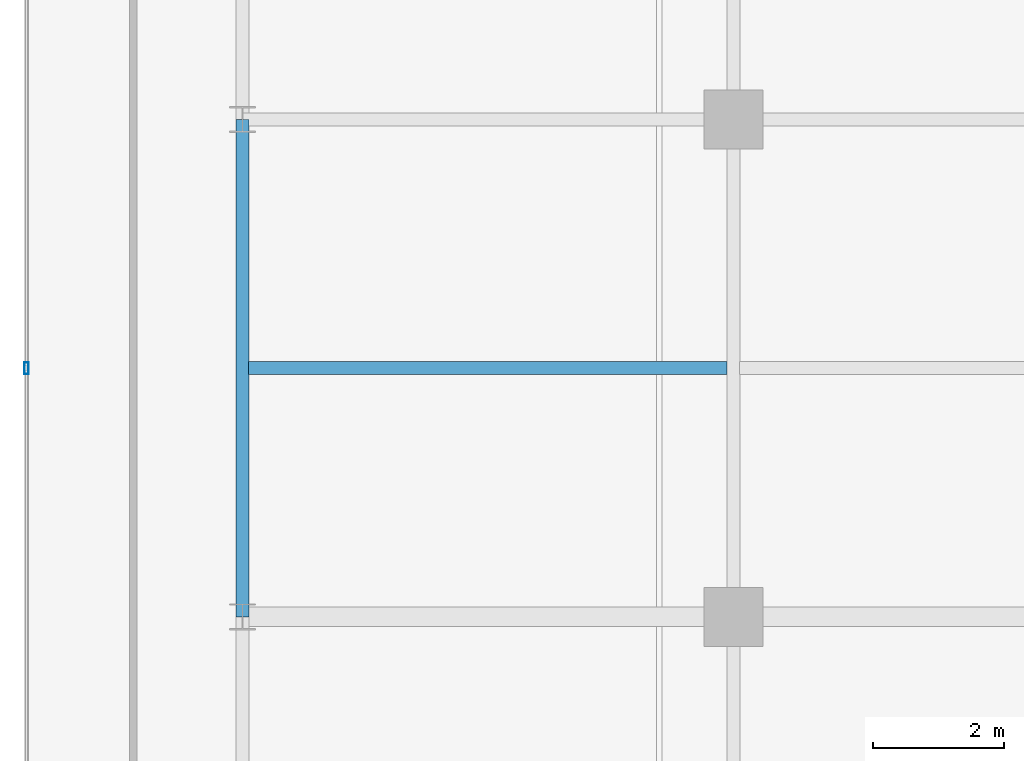
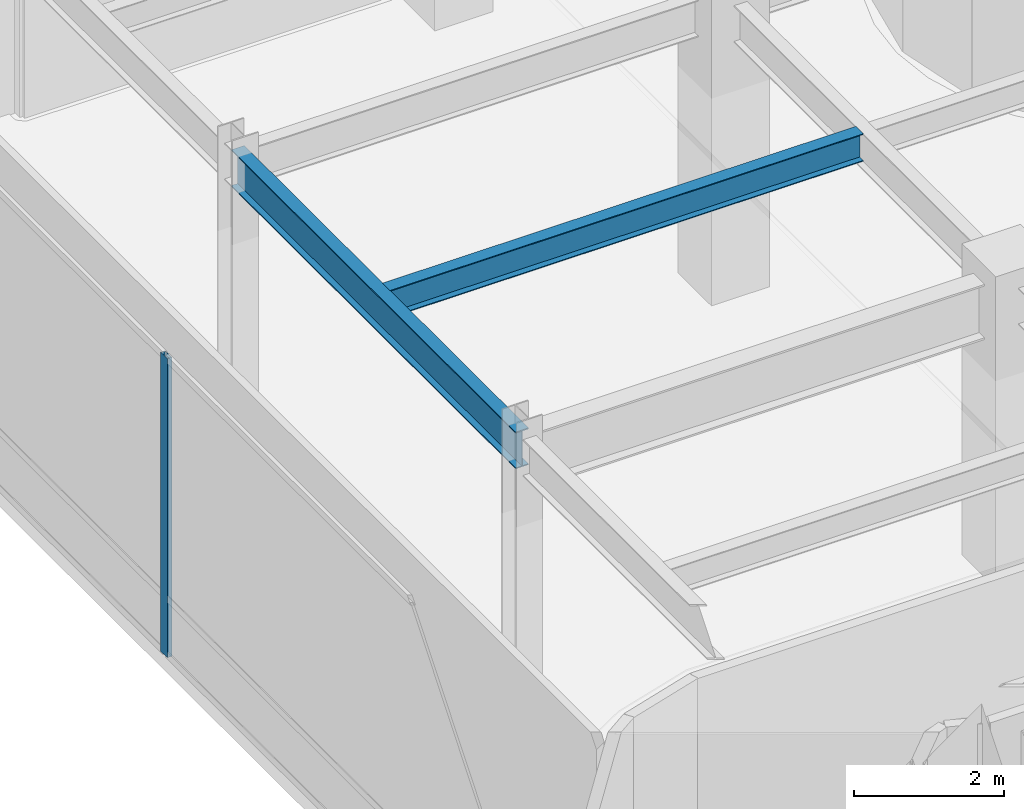
# One storey, part 9 of 40: 2 beams, 1 member, 1 element without a shape of its own.
"""IFC4 building model written with IfcOpenShell, lengths in metres."""

import ifcopenshell
import ifcopenshell.guid

model = None  # the IFC model being written
_history = None  # IfcOwnerHistory: only IFC2X3 demands one
_inside = {}  # id of a spatial element -> (the spatial element, [elements in it])
_under = {}  # id of a project, library or spatial element -> (it, [spatial elements below it])
_declared = {}  # id of a project -> (the project, [libraries it declares])
_typed = {}  # id of a type object -> (the type object, [elements of that type])
_made_of = {}  # id of a material, layer set ... -> (it, [elements and type objects made of it])


def new_model(schema):
    """Start an empty IFC model of exactly this schema.

    Asked for "IFC4X3", IfcOpenShell would pick the latest addendum, in which some entities
    have other attributes; the version numbers below select the first issue.
    IFC2X3 requires an IfcOwnerHistory on every rooted entity: one is made here for all.
    """
    global model, _history
    if schema == "IFC4X3":
        model = ifcopenshell.file(schema_version=(4, 3, 0, 0))
    else:
        model = ifcopenshell.file(schema=schema)
    _inside.clear()
    _under.clear()
    _declared.clear()
    _typed.clear()
    _made_of.clear()
    _history = None
    if model.schema == "IFC2X3":
        org = make("IfcOrganization", Name="unknown")
        user = make(
            "IfcPersonAndOrganization",
            ThePerson=make("IfcPerson", FamilyName="unknown"),
            TheOrganization=org,
        )
        app = make(
            "IfcApplication",
            ApplicationDeveloper=org,
            Version="unknown",
            ApplicationFullName="unknown",
            ApplicationIdentifier="unknown",
        )
        _history = make(
            "IfcOwnerHistory",
            OwningUser=user,
            OwningApplication=app,
            ChangeAction="ADDED",
            CreationDate=0,
        )
    return model


def make(cls, **values):
    """One entity of the class cls with the attributes given. An attribute that is None is left unset."""
    return model.create_entity(
        cls, **{name: value for name, value in values.items() if value is not None}
    )


def rooted(cls, **values):
    """An entity with a GlobalId (a new one), such as an element, a storey or a relation."""
    return make(cls, GlobalId=ifcopenshell.guid.new(), OwnerHistory=_history, **values)


def si_unit(unit_type, name, prefix=None):
    """IfcSIUnit, for example si_unit("LENGTHUNIT", "METRE", prefix="MILLI")."""
    return make("IfcSIUnit", UnitType=unit_type, Prefix=prefix, Name=name)


def assignment(units):
    """IfcUnitAssignment: the units of a project."""
    return None if units is None else make("IfcUnitAssignment", Units=units)


def point(xyz):
    """IfcCartesianPoint."""
    return None if xyz is None else make("IfcCartesianPoint", Coordinates=xyz)


def direction(xyz):
    """IfcDirection."""
    return None if xyz is None else make("IfcDirection", DirectionRatios=xyz)


def frame(location, z_axis=None, x_axis=None):
    """IfcAxis2Placement3D, a coordinate frame: its origin and axes. An axis left out is left unset."""
    return make(
        "IfcAxis2Placement3D",
        Location=point(location),
        Axis=direction(z_axis),
        RefDirection=direction(x_axis),
    )


def frame_2d(location, x_axis=None):
    """IfcAxis2Placement2D, a coordinate frame in the plane: its origin and x axis."""
    return make(
        "IfcAxis2Placement2D", Location=point(location), RefDirection=direction(x_axis)
    )


def origin():
    """The frame at (0, 0, 0) with its axes left unset."""
    return frame((0.0, 0.0, 0.0))


def origin_2d():
    """The frame at (0, 0) in the plane with its x axis left unset."""
    return frame_2d((0.0, 0.0))


def place(relative_to, where):
    """IfcLocalPlacement: puts the frame where relative to a parent placement (None: the world)."""
    return make(
        "IfcLocalPlacement", PlacementRelTo=relative_to, RelativePlacement=where
    )


def context(
    kind, dimensions, precision=None, world=None, true_north=None, identifier=None
):
    """IfcGeometricRepresentationContext, for example the 3D "Model" context."""
    return make(
        "IfcGeometricRepresentationContext",
        ContextIdentifier=identifier,
        ContextType=kind,
        CoordinateSpaceDimension=dimensions,
        Precision=precision,
        WorldCoordinateSystem=world,
        TrueNorth=true_north,
    )


def subcontext(parent, identifier, kind, view, scale=None):
    """IfcGeometricRepresentationSubContext, for example "Body" below "Model"."""
    return make(
        "IfcGeometricRepresentationSubContext",
        ContextIdentifier=identifier,
        ContextType=kind,
        ParentContext=parent,
        TargetScale=scale,
        TargetView=view,
    )


def project(units=None, contexts=None):
    """IfcProject with its units and contexts."""
    return rooted(
        "IfcProject",
        Name="project",
        RepresentationContexts=contexts,
        UnitsInContext=assignment(units),
    )


def spatial(cls, under=None, at=None, **own):
    """A site, building, storey or space (cls), placed at a placement, below another one or the project."""
    s = rooted(cls, ObjectPlacement=at, **own)
    if under is not None:
        _under.setdefault(under.id(), (under, []))[1].append(s)
    return s


def profile(cls, at=None, kind="AREA", **sizes):
    """A parametric profile (cls). Its sizes go by their IFC names, for example OverallWidth=200.0."""
    return make(cls, ProfileType=kind, Position=at, **sizes)


def hollow_rectangle(**sizes):
    """IfcRectangleHollowProfileDef."""
    return profile("IfcRectangleHollowProfileDef", **sizes)


def i_section(**sizes):
    """IfcIShapeProfileDef."""
    return profile("IfcIShapeProfileDef", **sizes)


def extrude(swept, where, along, depth):
    """IfcExtrudedAreaSolid: the profile swept, set in the frame where, extruded along a direction by depth."""
    return make(
        "IfcExtrudedAreaSolid",
        SweptArea=swept,
        Position=where,
        ExtrudedDirection=direction(along),
        Depth=depth,
    )


def shape(context_of_items, identifier, shape_type, items):
    """IfcShapeRepresentation: the items that make up one representation, for example the "Body"."""
    return make(
        "IfcShapeRepresentation",
        ContextOfItems=context_of_items,
        RepresentationIdentifier=identifier,
        RepresentationType=shape_type,
        Items=items,
    )


def material(Name=None, Category=None):
    """IfcMaterial."""
    return make("IfcMaterial", Name=Name, Category=Category)


def layer(
    of_material, thickness, ventilated=None, Name=None, Category=None, Priority=None
):
    """IfcMaterialLayer: one layer of a wall or slab, of a material (None: an air gap)."""
    return make(
        "IfcMaterialLayer",
        Material=of_material,
        LayerThickness=thickness,
        IsVentilated=ventilated,
        Name=Name,
        Category=Category,
        Priority=Priority,
    )


def layer_set(layers, Name=None):
    """IfcMaterialLayerSet."""
    return make("IfcMaterialLayerSet", MaterialLayers=layers, LayerSetName=Name)


def material_profile(
    of_material, cross_section, Name=None, Category=None, Priority=None
):
    """IfcMaterialProfile: a cross section and its material."""
    return make(
        "IfcMaterialProfile",
        Name=Name,
        Material=of_material,
        Profile=cross_section,
        Priority=Priority,
        Category=Category,
    )


def profile_set(profiles, Name=None, composite=None):
    """IfcMaterialProfileSet."""
    return make(
        "IfcMaterialProfileSet",
        Name=Name,
        MaterialProfiles=profiles,
        CompositeProfile=composite,
    )


def made_of(thing, what):
    """Note that an element or type object is made of a material, layer set ...; save() writes the relation."""
    if what is not None:
        _made_of.setdefault(what.id(), (what, []))[1].append(thing)
    return thing


def type_object(cls, material=None, **own):
    """A type object (cls), such as IfcWallType, which elements share."""
    return made_of(rooted(cls, **own), material)


def element(
    cls,
    number,
    at=None,
    inside=None,
    cuts=None,
    type_object=None,
    material=None,
    context=None,
    identifier="Body",
    shape_type=None,
    held_by="IfcProductDefinitionShape",
    body=None,
    shapes=None,
    **own,
):
    """One element of the class cls, such as IfcWall. Its Tag is "e" and its number.

    at: its placement. inside: the storey or other place that contains it. cuts: it is an
    opening in that element (IfcRelVoidsElement). A single representation is given by context,
    identifier, shape_type and body (its items); several are given by shapes. held_by: the class
    of the entity that holds the representations. save() writes the other relations.
    """
    e = rooted(cls, Tag="e%d" % number, ObjectPlacement=at, **own)
    if body is not None:
        shapes = [shape(context, identifier, shape_type, body)]
    if shapes is not None:
        e.Representation = make(held_by, Representations=shapes)
    if inside is not None:
        _inside.setdefault(inside.id(), (inside, []))[1].append(e)
    if cuts is not None:
        rooted(
            "IfcRelVoidsElement", RelatingBuildingElement=cuts, RelatedOpeningElement=e
        )
    if type_object is not None:
        _typed.setdefault(type_object.id(), (type_object, []))[1].append(e)
    return made_of(e, material)


def aggregate(whole, parts):
    """IfcRelAggregates: a whole, such as a stair, and the parts it consists of."""
    return rooted("IfcRelAggregates", RelatingObject=whole, RelatedObjects=parts)


def save(model, path):
    """Write the relations noted so far, then the file.

    IfcRelAggregates (storeys below a building ...), IfcRelContainedInSpatialStructure (elements
    in a storey), IfcRelDefinesByType, IfcRelAssociatesMaterial and IfcRelDeclares: one each for
    every whole, place, type object, material and project.
    """
    for whole, parts in _under.values():
        aggregate(whole, parts)
    for where, things in _inside.values():
        rooted(
            "IfcRelContainedInSpatialStructure",
            RelatedElements=things,
            RelatingStructure=where,
        )
    for kind, things in _typed.values():
        rooted("IfcRelDefinesByType", RelatedObjects=things, RelatingType=kind)
    for what, things in _made_of.values():
        rooted("IfcRelAssociatesMaterial", RelatedObjects=things, RelatingMaterial=what)
    for by, libraries in _declared.values():
        rooted("IfcRelDeclares", RelatingContext=by, RelatedDefinitions=libraries)
    model.write(path)


model = new_model("IFC4")

# Units and contexts
model_context = context("Model", 3, precision=1e-05, world=origin(), true_north=direction((0.0, 1.0)))
body_context = subcontext(model_context, "Body", "Model", "MODEL_VIEW")
ifc_project = project(units=[si_unit("LENGTHUNIT", "METRE"), si_unit("AREAUNIT", "SQUARE_METRE"), si_unit("VOLUMEUNIT", "CUBIC_METRE"), si_unit("PLANEANGLEUNIT", "RADIAN"), si_unit("MASSUNIT", "GRAM", prefix="KILO")], contexts=[model_context])

# Site, building, storey
site_placement = place(None, origin())
site = spatial("IfcSite", under=ifc_project, at=site_placement, CompositionType="ELEMENT")
building_placement = place(site_placement, origin())
building = spatial("IfcBuilding", under=site, at=building_placement, Name="Qianvela Tower", CompositionType="ELEMENT")
storey_placement = place(building_placement, frame((0.0, 0.0, 20.60009765625)))
storey = spatial("IfcBuildingStorey", under=building, at=storey_placement, Name="L04", CompositionType="ELEMENT", Elevation=20.60009765625)

# Beams
ifc_material_1 = material(Name="Steel Q355B", Category="steel")
ifc_material_profile_1 = material_profile(ifc_material_1, i_section(OverallWidth=0.199951171875, OverallDepth=0.449951171875, WebThickness=0.009033203125, FlangeThickness=0.013916015625, at=origin_2d()), Name="HN450x200x9x14")
ifc_profile_set_1 = profile_set([ifc_material_profile_1], Name="Steel Q355B")
beam_type_1 = type_object("IfcBeamType", Name="BM-HN450-JOIST", PredefinedType="JOIST", material=ifc_profile_set_1)
beam_1_placement = place(storey_placement, frame((7.595947265625, 26.0, 4.572998046875), z_axis=(1.0, 0.0, 0.0), x_axis=(0.0, 1.0, 0.0)))
element("IfcBeam", 1, at=beam_1_placement, inside=storey, type_object=beam_type_1, Name="L04 Secondary Floor Joist 45", PredefinedType="JOIST", context=body_context, shape_type="SweptSolid", body=[
    extrude(i_section(OverallWidth=0.199951171875, OverallDepth=0.449951171875, WebThickness=0.009033203125, FlangeThickness=0.013916015625, at=origin_2d()), origin(), (0.0, 0.0, 1.0), 7.30810546875),
])
ifc_material_2 = material(Name="Steel Q355B", Category="steel")
ifc_material_profile_2 = material_profile(ifc_material_2, i_section(OverallWidth=0.199951171875, OverallDepth=0.60009765625, WebThickness=0.010986328125, FlangeThickness=0.01708984375, at=origin_2d()), Name="HN600x200x11x17")
ifc_profile_set_2 = profile_set([ifc_material_profile_2], Name="Steel Q355B")
beam_type_2 = type_object("IfcBeamType", Name="BM-HN600-GIRD", PredefinedType="BEAM", material=ifc_profile_set_2)
beam_2_placement = place(storey_placement, frame((7.5, 22.199951171875, 4.497802734375), z_axis=(0.0, 1.0, 0.0), x_axis=(-1.0, 0.0, 0.0)))
element("IfcBeam", 2, at=beam_2_placement, inside=storey, type_object=beam_type_2, Name="L04 North-South Grid Girder 18", PredefinedType="BEAM", context=body_context, shape_type="SweptSolid", body=[
    extrude(i_section(OverallWidth=0.199951171875, OverallDepth=0.60009765625, WebThickness=0.010986328125, FlangeThickness=0.01708984375, at=origin_2d()), origin(), (0.0, 0.0, 1.0), 7.60009765625),
])

# Curtain wall, member
ifc_material_3 = material(Name="Anodised Architectural Aluminium and Low-E Glass", Category="aluminium")
ifc_layer = layer(ifc_material_3, 0.179931640625)
ifc_layer_set = layer_set([ifc_layer], Name="Anodised Architectural Aluminium and Low-E Glass")
curtain_wall_type = type_object("IfcCurtainWallType", Name="CW-COMMONS", PredefinedType="USERDEFINED", material=ifc_layer_set)
curtain_wall_placement = place(storey_placement, origin())
curtain_wall = element("IfcCurtainWall", 3, at=curtain_wall_placement, inside=storey, type_object=curtain_wall_type, Name="L04 CW-COMMONS Curtain Wall 07", ObjectType="CURTAIN_WALL_SYSTEM", PredefinedType="USERDEFINED")
ifc_material_4 = material(Name="Anodised Architectural Aluminium 6063-T6", Category="aluminium")
ifc_material_profile_3 = material_profile(ifc_material_4, hollow_rectangle(XDim=0.070068359375, YDim=0.179931640625, WallThickness=0.0048828125, at=origin_2d()), Name="ALU-MULL-70x180")
ifc_profile_set_3 = profile_set([ifc_material_profile_3], Name="Anodised Architectural Aluminium 6063-T6")
member_type = type_object("IfcMemberType", Name="CW-COMMONS-MULL", PredefinedType="MULLION", material=ifc_profile_set_3)
member_placement = place(storey_placement, frame((4.199951171875, 26.0, 0.0), z_axis=(0.0, 0.0, 1.0), x_axis=(1.0, 0.0, 0.0)))
member = element("IfcMember", 4, at=member_placement, type_object=member_type, Name="CW-2 mullion 3", PredefinedType="MULLION", context=body_context, shape_type="SweptSolid", body=[
    extrude(hollow_rectangle(XDim=0.070068359375, YDim=0.179931640625, WallThickness=0.0048828125, at=origin_2d()), origin(), (0.0, 0.0, 1.0), 4.8798828125),
])
aggregate(curtain_wall, [member])

save(model, "model.ifc")
